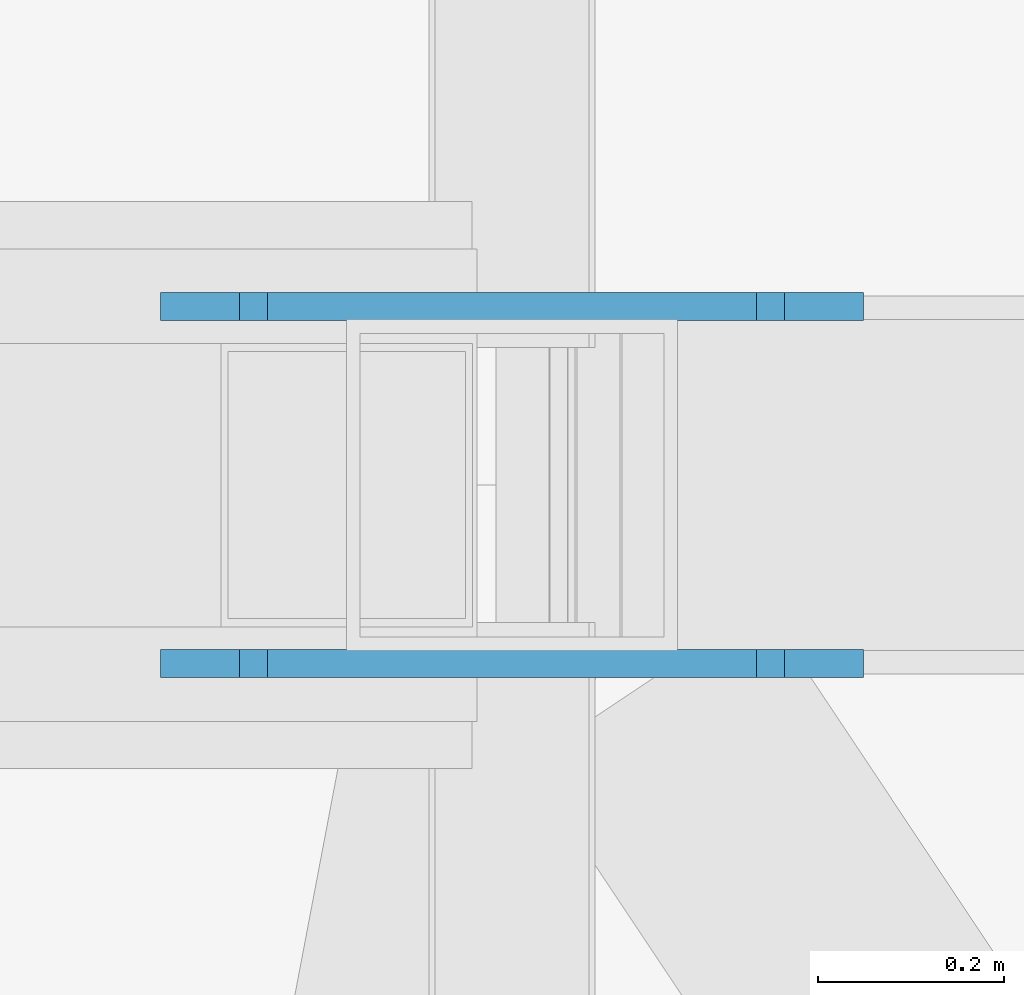
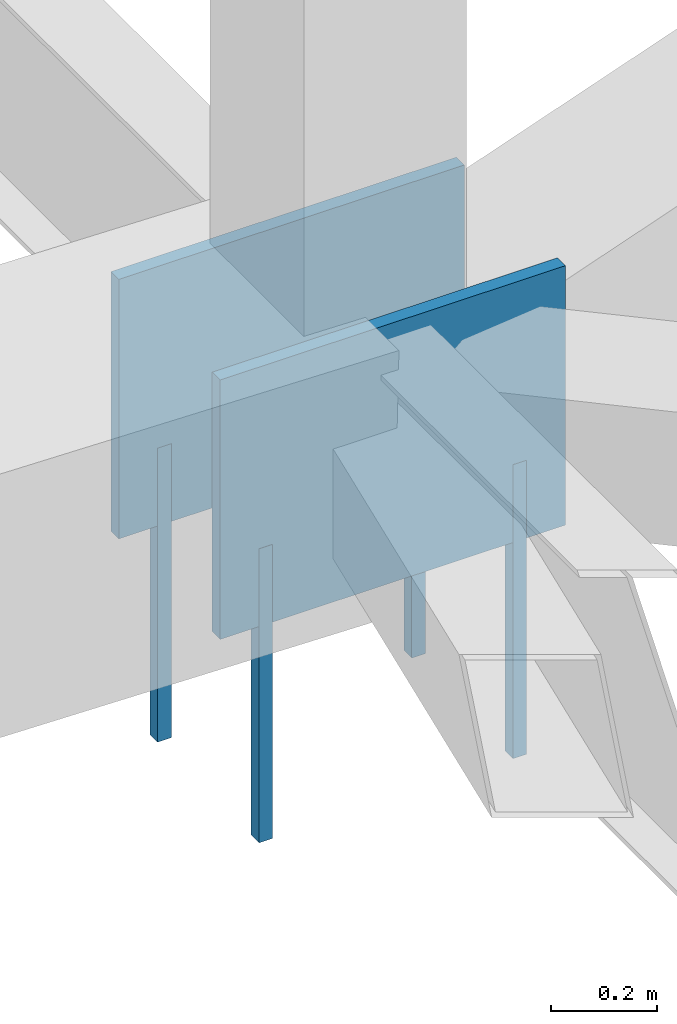
# One storey, part 191 of 278: 4 mechanical fasteners, 2 discrete accessories.
"""IFC4 building model written with IfcOpenShell, lengths in metres."""

from ifc_helpers import new_model, si_unit, direction, frame, origin, origin_2d, place, context, subcontext, project, spatial, rectangle, extrude, material, layer, layer_set, type_object, element, save


model = new_model("IFC4")

# Units and contexts
model_context = context("Model", 3, precision=1e-05, world=origin(), true_north=direction((0.0, 1.0)))
body_context = subcontext(model_context, "Body", "Model", "MODEL_VIEW")
ifc_project = project(units=[si_unit("LENGTHUNIT", "METRE"), si_unit("AREAUNIT", "SQUARE_METRE"), si_unit("VOLUMEUNIT", "CUBIC_METRE"), si_unit("PLANEANGLEUNIT", "RADIAN"), si_unit("MASSUNIT", "GRAM", prefix="KILO")], contexts=[model_context])

# Site, building, storey
site_placement = place(None, origin())
site = spatial("IfcSite", under=ifc_project, at=site_placement, CompositionType="ELEMENT")
building_placement = place(site_placement, origin())
building = spatial("IfcBuilding", under=site, at=building_placement, Name="Ogive Plaza Stadium", CompositionType="ELEMENT")
storey_placement = place(building_placement, frame((0.0, 0.0, 29.0)))
storey = spatial("IfcBuildingStorey", under=building, at=storey_placement, Name="Roof", CompositionType="ELEMENT", Elevation=29.0)

# Mechanical fasteners
ifc_material_1 = material(Name="Steel ASTM A992 Grade 50", Category="steel")
mechanical_fastener_type = type_object("IfcMechanicalFastenerType", Name="Anchor bolt M30 x 600", PredefinedType="ANCHORBOLT", material=ifc_material_1)
for number, where, z_axis, x_axis, name in (
    (1, (74.27783203125, -22.30810546875, -0.5), (0.0, 0.0, 1.0), (1.0, 0.0, 0.0), "ANCHOR BOLT 06 BP 1.1"),
    (2, (73.72216796875, -22.30810546875, -0.5), (0.0, 0.0, 1.0), (1.0, 0.0, 0.0), "ANCHOR BOLT 06 BP 1.2"),
    (3, (74.27783203125, -22.69189453125, -0.5), (0.0, 0.0, 1.0), (1.0, 0.0, 0.0), "ANCHOR BOLT 06 BP 2.1"),
    (4, (73.72216796875, -22.69189453125, -0.5), (0.0, 0.0, 1.0), (1.0, 0.0, 0.0), "ANCHOR BOLT 06 BP 2.2"),
):
    element("IfcMechanicalFastener", number, at=place(storey_placement, frame(where, z_axis=z_axis, x_axis=x_axis)), inside=storey, type_object=mechanical_fastener_type, Name=name, PredefinedType="ANCHORBOLT", context=body_context, shape_type="SweptSolid", body=[
        extrude(rectangle(XDim=0.030029296875, YDim=0.030029296875, at=origin_2d()), origin(), (0.0, 0.0, 1.0), 0.679931640625),
    ])

# Discrete accessories
ifc_material_2 = material(Name="Steel ASTM A992 Grade 50", Category="steel")
ifc_layer = layer(ifc_material_2, 0.030029296875)
ifc_layer_set = layer_set([ifc_layer], Name="Steel ASTM A992 Grade 50")
discrete_accessory_type = type_object("IfcDiscreteAccessoryType", Name="Truss root foot cleat plate 30", PredefinedType="ANCHORPLATE", material=ifc_layer_set)
for number, where, z_axis, x_axis, name in (
    (5, (74.0, -22.30810546875, 0.0), (0.0, 0.0, 1.0), (1.0, 0.0, 0.0), "TRUSS ROOT FOOT CLEAT PLATE 06 1"),
    (6, (74.0, -22.69189453125, 0.0), (0.0, 0.0, 1.0), (1.0, 0.0, 0.0), "TRUSS ROOT FOOT CLEAT PLATE 06 2"),
):
    element("IfcDiscreteAccessory", number, at=place(storey_placement, frame(where, z_axis=z_axis, x_axis=x_axis)), inside=storey, type_object=discrete_accessory_type, Name=name, PredefinedType="ANCHORPLATE", context=body_context, shape_type="SweptSolid", body=[
        extrude(rectangle(XDim=0.755615234375, YDim=0.030029296875, at=origin_2d()), origin(), (0.0, 0.0, 1.0), 0.60009765625),
    ])

save(model, "model.ifc")
